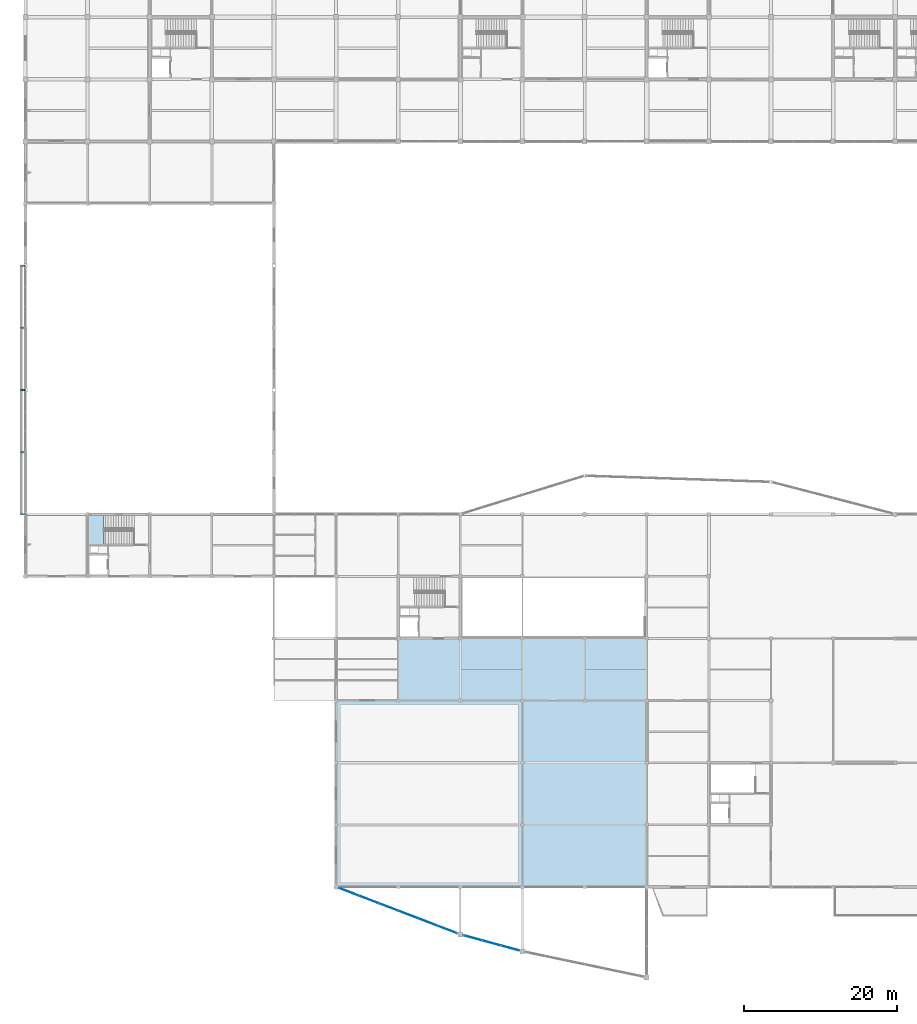
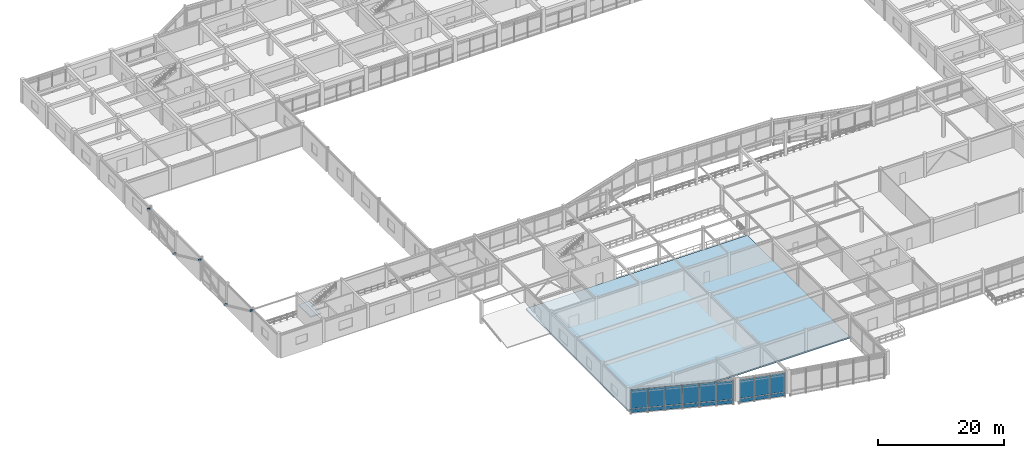
# One storey, part 49 of 93: 18 plates, 5 beams, 2 slabs, 4 elements without a shape of their own.
"""IFC4 building model written with IfcOpenShell, lengths in metres."""

import ifcopenshell
import ifcopenshell.guid

model = None  # the IFC model being written
_history = None  # IfcOwnerHistory: only IFC2X3 demands one
_inside = {}  # id of a spatial element -> (the spatial element, [elements in it])
_under = {}  # id of a project, library or spatial element -> (it, [spatial elements below it])
_declared = {}  # id of a project -> (the project, [libraries it declares])
_typed = {}  # id of a type object -> (the type object, [elements of that type])
_made_of = {}  # id of a material, layer set ... -> (it, [elements and type objects made of it])


def new_model(schema):
    """Start an empty IFC model of exactly this schema.

    Asked for "IFC4X3", IfcOpenShell would pick the latest addendum, in which some entities
    have other attributes; the version numbers below select the first issue.
    IFC2X3 requires an IfcOwnerHistory on every rooted entity: one is made here for all.
    """
    global model, _history
    if schema == "IFC4X3":
        model = ifcopenshell.file(schema_version=(4, 3, 0, 0))
    else:
        model = ifcopenshell.file(schema=schema)
    _inside.clear()
    _under.clear()
    _declared.clear()
    _typed.clear()
    _made_of.clear()
    _history = None
    if model.schema == "IFC2X3":
        org = make("IfcOrganization", Name="unknown")
        user = make(
            "IfcPersonAndOrganization",
            ThePerson=make("IfcPerson", FamilyName="unknown"),
            TheOrganization=org,
        )
        app = make(
            "IfcApplication",
            ApplicationDeveloper=org,
            Version="unknown",
            ApplicationFullName="unknown",
            ApplicationIdentifier="unknown",
        )
        _history = make(
            "IfcOwnerHistory",
            OwningUser=user,
            OwningApplication=app,
            ChangeAction="ADDED",
            CreationDate=0,
        )
    return model


def make(cls, **values):
    """One entity of the class cls with the attributes given. An attribute that is None is left unset."""
    return model.create_entity(
        cls, **{name: value for name, value in values.items() if value is not None}
    )


def rooted(cls, **values):
    """An entity with a GlobalId (a new one), such as an element, a storey or a relation."""
    return make(cls, GlobalId=ifcopenshell.guid.new(), OwnerHistory=_history, **values)


def si_unit(unit_type, name, prefix=None):
    """IfcSIUnit, for example si_unit("LENGTHUNIT", "METRE", prefix="MILLI")."""
    return make("IfcSIUnit", UnitType=unit_type, Prefix=prefix, Name=name)


def assignment(units):
    """IfcUnitAssignment: the units of a project."""
    return None if units is None else make("IfcUnitAssignment", Units=units)


def point(xyz):
    """IfcCartesianPoint."""
    return None if xyz is None else make("IfcCartesianPoint", Coordinates=xyz)


def direction(xyz):
    """IfcDirection."""
    return None if xyz is None else make("IfcDirection", DirectionRatios=xyz)


def frame(location, z_axis=None, x_axis=None):
    """IfcAxis2Placement3D, a coordinate frame: its origin and axes. An axis left out is left unset."""
    return make(
        "IfcAxis2Placement3D",
        Location=point(location),
        Axis=direction(z_axis),
        RefDirection=direction(x_axis),
    )


def frame_2d(location, x_axis=None):
    """IfcAxis2Placement2D, a coordinate frame in the plane: its origin and x axis."""
    return make(
        "IfcAxis2Placement2D", Location=point(location), RefDirection=direction(x_axis)
    )


def origin():
    """The frame at (0, 0, 0) with its axes left unset."""
    return frame((0.0, 0.0, 0.0))


def origin_2d():
    """The frame at (0, 0) in the plane with its x axis left unset."""
    return frame_2d((0.0, 0.0))


def place(relative_to, where):
    """IfcLocalPlacement: puts the frame where relative to a parent placement (None: the world)."""
    return make(
        "IfcLocalPlacement", PlacementRelTo=relative_to, RelativePlacement=where
    )


def context(
    kind, dimensions, precision=None, world=None, true_north=None, identifier=None
):
    """IfcGeometricRepresentationContext, for example the 3D "Model" context."""
    return make(
        "IfcGeometricRepresentationContext",
        ContextIdentifier=identifier,
        ContextType=kind,
        CoordinateSpaceDimension=dimensions,
        Precision=precision,
        WorldCoordinateSystem=world,
        TrueNorth=true_north,
    )


def subcontext(parent, identifier, kind, view, scale=None):
    """IfcGeometricRepresentationSubContext, for example "Body" below "Model"."""
    return make(
        "IfcGeometricRepresentationSubContext",
        ContextIdentifier=identifier,
        ContextType=kind,
        ParentContext=parent,
        TargetScale=scale,
        TargetView=view,
    )


def project(units=None, contexts=None):
    """IfcProject with its units and contexts."""
    return rooted(
        "IfcProject",
        Name="project",
        RepresentationContexts=contexts,
        UnitsInContext=assignment(units),
    )


def spatial(cls, under=None, at=None, **own):
    """A site, building, storey or space (cls), placed at a placement, below another one or the project."""
    s = rooted(cls, ObjectPlacement=at, **own)
    if under is not None:
        _under.setdefault(under.id(), (under, []))[1].append(s)
    return s


def polyline(points):
    """IfcPolyline through the points."""
    return make("IfcPolyline", Points=[point(p) for p in points])


def profile(cls, at=None, kind="AREA", **sizes):
    """A parametric profile (cls). Its sizes go by their IFC names, for example OverallWidth=200.0."""
    return make(cls, ProfileType=kind, Position=at, **sizes)


def rectangle(**sizes):
    """IfcRectangleProfileDef."""
    return profile("IfcRectangleProfileDef", **sizes)


def hollow_rectangle(**sizes):
    """IfcRectangleHollowProfileDef."""
    return profile("IfcRectangleHollowProfileDef", **sizes)


def outline(outer, holes=None, kind="AREA"):
    """IfcArbitraryClosedProfileDef: a profile drawn as a closed curve; with holes, ...WithVoids."""
    if holes is None:
        return make("IfcArbitraryClosedProfileDef", ProfileType=kind, OuterCurve=outer)
    return make(
        "IfcArbitraryProfileDefWithVoids",
        ProfileType=kind,
        OuterCurve=outer,
        InnerCurves=holes,
    )


def extrude(swept, where, along, depth):
    """IfcExtrudedAreaSolid: the profile swept, set in the frame where, extruded along a direction by depth."""
    return make(
        "IfcExtrudedAreaSolid",
        SweptArea=swept,
        Position=where,
        ExtrudedDirection=direction(along),
        Depth=depth,
    )


def shape(context_of_items, identifier, shape_type, items):
    """IfcShapeRepresentation: the items that make up one representation, for example the "Body"."""
    return make(
        "IfcShapeRepresentation",
        ContextOfItems=context_of_items,
        RepresentationIdentifier=identifier,
        RepresentationType=shape_type,
        Items=items,
    )


def material(Name=None, Category=None):
    """IfcMaterial."""
    return make("IfcMaterial", Name=Name, Category=Category)


def layer(
    of_material, thickness, ventilated=None, Name=None, Category=None, Priority=None
):
    """IfcMaterialLayer: one layer of a wall or slab, of a material (None: an air gap)."""
    return make(
        "IfcMaterialLayer",
        Material=of_material,
        LayerThickness=thickness,
        IsVentilated=ventilated,
        Name=Name,
        Category=Category,
        Priority=Priority,
    )


def layer_set(layers, Name=None):
    """IfcMaterialLayerSet."""
    return make("IfcMaterialLayerSet", MaterialLayers=layers, LayerSetName=Name)


def material_profile(
    of_material, cross_section, Name=None, Category=None, Priority=None
):
    """IfcMaterialProfile: a cross section and its material."""
    return make(
        "IfcMaterialProfile",
        Name=Name,
        Material=of_material,
        Profile=cross_section,
        Priority=Priority,
        Category=Category,
    )


def profile_set(profiles, Name=None, composite=None):
    """IfcMaterialProfileSet."""
    return make(
        "IfcMaterialProfileSet",
        Name=Name,
        MaterialProfiles=profiles,
        CompositeProfile=composite,
    )


def made_of(thing, what):
    """Note that an element or type object is made of a material, layer set ...; save() writes the relation."""
    if what is not None:
        _made_of.setdefault(what.id(), (what, []))[1].append(thing)
    return thing


def type_object(cls, material=None, **own):
    """A type object (cls), such as IfcWallType, which elements share."""
    return made_of(rooted(cls, **own), material)


def element(
    cls,
    number,
    at=None,
    inside=None,
    cuts=None,
    type_object=None,
    material=None,
    context=None,
    identifier="Body",
    shape_type=None,
    held_by="IfcProductDefinitionShape",
    body=None,
    shapes=None,
    **own,
):
    """One element of the class cls, such as IfcWall. Its Tag is "e" and its number.

    at: its placement. inside: the storey or other place that contains it. cuts: it is an
    opening in that element (IfcRelVoidsElement). A single representation is given by context,
    identifier, shape_type and body (its items); several are given by shapes. held_by: the class
    of the entity that holds the representations. save() writes the other relations.
    """
    e = rooted(cls, Tag="e%d" % number, ObjectPlacement=at, **own)
    if body is not None:
        shapes = [shape(context, identifier, shape_type, body)]
    if shapes is not None:
        e.Representation = make(held_by, Representations=shapes)
    if inside is not None:
        _inside.setdefault(inside.id(), (inside, []))[1].append(e)
    if cuts is not None:
        rooted(
            "IfcRelVoidsElement", RelatingBuildingElement=cuts, RelatedOpeningElement=e
        )
    if type_object is not None:
        _typed.setdefault(type_object.id(), (type_object, []))[1].append(e)
    return made_of(e, material)


def aggregate(whole, parts):
    """IfcRelAggregates: a whole, such as a stair, and the parts it consists of."""
    return rooted("IfcRelAggregates", RelatingObject=whole, RelatedObjects=parts)


def save(model, path):
    """Write the relations noted so far, then the file.

    IfcRelAggregates (storeys below a building ...), IfcRelContainedInSpatialStructure (elements
    in a storey), IfcRelDefinesByType, IfcRelAssociatesMaterial and IfcRelDeclares: one each for
    every whole, place, type object, material and project.
    """
    for whole, parts in _under.values():
        aggregate(whole, parts)
    for where, things in _inside.values():
        rooted(
            "IfcRelContainedInSpatialStructure",
            RelatedElements=things,
            RelatingStructure=where,
        )
    for kind, things in _typed.values():
        rooted("IfcRelDefinesByType", RelatedObjects=things, RelatingType=kind)
    for what, things in _made_of.values():
        rooted("IfcRelAssociatesMaterial", RelatedObjects=things, RelatingMaterial=what)
    for by, libraries in _declared.values():
        rooted("IfcRelDeclares", RelatingContext=by, RelatedDefinitions=libraries)
    model.write(path)


model = new_model("IFC4")

# Units and contexts
model_context = context("Model", 3, precision=1e-05, world=origin(), true_north=direction((0.0, 1.0)))
body_context = subcontext(model_context, "Body", "Model", "MODEL_VIEW")
ifc_project = project(units=[si_unit("LENGTHUNIT", "METRE"), si_unit("AREAUNIT", "SQUARE_METRE"), si_unit("VOLUMEUNIT", "CUBIC_METRE"), si_unit("PLANEANGLEUNIT", "RADIAN"), si_unit("MASSUNIT", "GRAM", prefix="KILO")], contexts=[model_context])

# Site, building, storey
site_placement = place(None, origin())
site = spatial("IfcSite", under=ifc_project, at=site_placement, CompositionType="ELEMENT")
building_placement = place(site_placement, origin())
building = spatial("IfcBuilding", under=site, at=building_placement, Name="Vaudrelin Polytechnic", CompositionType="ELEMENT")
storey_placement = place(building_placement, frame((0.0, 0.0, 5.10009765625)))
storey = spatial("IfcBuildingStorey", under=building, at=storey_placement, Name="L01", CompositionType="ELEMENT", Elevation=5.10009765625)

# Beams
ifc_material_1 = material(Name="Steel CSA G40.21 350WT", Category="steel")
ifc_material_profile = material_profile(ifc_material_1, hollow_rectangle(XDim=0.202880859375, YDim=0.304931640625, WallThickness=0.010986328125, InnerFilletRadius=0.010986328125, OuterFilletRadius=0.022216796875, at=origin_2d()), Name="HSS305x203x11.1")
ifc_profile_set = profile_set([ifc_material_profile], Name="Steel CSA G40.21 350WT")
beam_type = type_object("IfcBeamType", Name="BM-SP-HSS30", PredefinedType="SPANDREL", material=ifc_profile_set)
for number, where, z_axis, x_axis, name in (
    (1, (0.0, 56.699951171875, 0.349853515625), (-1.0, 0.0, 0.0), (0.0, -1.0, 0.0), "Diagrid exoskeleton outrigger node L01 1-8-B"),
    (2, (0.0, 48.60009765625, 4.08984375), (-1.0, 0.0, 0.0), (0.0, -1.0, 0.0), "Diagrid exoskeleton outrigger node L01 1-7-T"),
    (3, (0.0, 64.800048828125, 4.08984375), (-1.0, 0.0, 0.0), (0.0, -1.0, 0.0), "Diagrid exoskeleton outrigger node L01 1-9-T"),
    (4, (0.0, 72.89990234375, 0.349853515625), (-1.0, 0.0, 0.0), (0.0, -1.0, 0.0), "Diagrid exoskeleton outrigger node L01 1-10-B"),
    (5, (0.0, 81.0, 4.08984375), (-1.0, 0.0, 0.0), (0.0, -1.0, 0.0), "Diagrid exoskeleton outrigger node L01 1-11-T"),
):
    element("IfcBeam", number, at=place(storey_placement, frame(where, z_axis=z_axis, x_axis=x_axis)), inside=storey, type_object=beam_type, Name=name, PredefinedType="SPANDREL", context=body_context, shape_type="SweptSolid", body=[
        extrude(hollow_rectangle(XDim=0.202880859375, YDim=0.304931640625, WallThickness=0.010986328125, InnerFilletRadius=0.010986328125, OuterFilletRadius=0.022216796875, at=origin_2d()), origin(), (0.0, 0.0, 1.0), 0.632568359375),
    ])

# Curtain wall, plates
ifc_material_2 = material(Name="Thermally broken anodised aluminium AA 6063-T6 and low-e triple glazing", Category="aluminium")
ifc_layer_1 = layer(ifc_material_2, 0.199951171875)
ifc_layer_set_1 = layer_set([ifc_layer_1], Name="Thermally broken anodised aluminium AA 6063-T6 and low-e triple glazing")
curtain_wall_type = type_object("IfcCurtainWallType", Name="CW-CW-WG", PredefinedType="USERDEFINED", material=ifc_layer_set_1)
curtain_wall_1_placement = place(storey_placement, origin())
curtain_wall_1 = element("IfcCurtainWall", 6, at=curtain_wall_1_placement, inside=storey, type_object=curtain_wall_type, Name="Curtain wall L01 V2P_1_0", ObjectType="CURTAIN WALL", PredefinedType="USERDEFINED")
ifc_material_3 = material(Name="Insulated ceramic-frit spandrel glass panel", Category="glass")
ifc_layer_2 = layer(ifc_material_3, 0.052001953125)
ifc_layer_set_2 = layer_set([ifc_layer_2], Name="Insulated ceramic-frit spandrel glass panel")
plate_type_1 = type_object("IfcPlateType", Name="PLT-GLZ-SPAND", PredefinedType="CURTAIN_PANEL", material=ifc_layer_set_2)
plate_1_placement = place(storey_placement, frame((42.1640625, -0.636962890625, -0.5400390625), z_axis=(0.0, 0.0, 1.0), x_axis=(0.933939211691, -0.357431880036, 0.0)))
plate_1 = element("IfcPlate", 7, at=plate_1_placement, type_object=plate_type_1, Name="V2P_1_0 spandrel panel 1", PredefinedType="CURTAIN_PANEL", context=body_context, shape_type="SweptSolid", body=[
    extrude(rectangle(XDim=2.651123046875, YDim=0.052001953125, at=origin_2d()), origin(), (0.0, 0.0, 1.0), 0.699951171875),
])
plate_2_placement = place(storey_placement, frame((44.7333984375, -1.6201171875, -0.5400390625), z_axis=(0.0, 0.0, 1.0), x_axis=(0.933939211691, -0.357431880036, 0.0)))
plate_2 = element("IfcPlate", 8, at=plate_2_placement, type_object=plate_type_1, Name="V2P_1_0 spandrel panel 2", PredefinedType="CURTAIN_PANEL", context=body_context, shape_type="SweptSolid", body=[
    extrude(rectangle(XDim=2.651123046875, YDim=0.052001953125, at=origin_2d()), origin(), (0.0, 0.0, 1.0), 0.699951171875),
])
plate_3_placement = place(storey_placement, frame((47.302734375, -2.603515625, -0.5400390625), z_axis=(0.0, 0.0, 1.0), x_axis=(0.933939211691, -0.357431880036, 0.0)))
plate_3 = element("IfcPlate", 9, at=plate_3_placement, type_object=plate_type_1, Name="V2P_1_0 spandrel panel 3", PredefinedType="CURTAIN_PANEL", context=body_context, shape_type="SweptSolid", body=[
    extrude(rectangle(XDim=2.651123046875, YDim=0.052001953125, at=origin_2d()), origin(), (0.0, 0.0, 1.0), 0.699951171875),
])

curtain_wall_2_placement = place(storey_placement, origin())
curtain_wall_2 = element("IfcCurtainWall", 10, at=curtain_wall_2_placement, inside=storey, type_object=curtain_wall_type, Name="Curtain wall L01 V2P_1_1", ObjectType="CURTAIN WALL", PredefinedType="USERDEFINED")
plate_4_placement = place(storey_placement, frame((49.872314453125, -3.5869140625, -0.5400390625), z_axis=(0.0, 0.0, 1.0), x_axis=(0.933939211691, -0.357431880036, 0.0)))
plate_4 = element("IfcPlate", 11, at=plate_4_placement, type_object=plate_type_1, Name="V2P_1_1 spandrel panel 1", PredefinedType="CURTAIN_PANEL", context=body_context, shape_type="SweptSolid", body=[
    extrude(rectangle(XDim=2.651123046875, YDim=0.052001953125, at=origin_2d()), origin(), (0.0, 0.0, 1.0), 0.699951171875),
])
plate_5_placement = place(storey_placement, frame((52.44140625, -4.5703125, -0.5400390625), z_axis=(0.0, 0.0, 1.0), x_axis=(0.933939211691, -0.357431880036, 0.0)))
plate_5 = element("IfcPlate", 12, at=plate_5_placement, type_object=plate_type_1, Name="V2P_1_1 spandrel panel 2", PredefinedType="CURTAIN_PANEL", context=body_context, shape_type="SweptSolid", body=[
    extrude(rectangle(XDim=2.651123046875, YDim=0.052001953125, at=origin_2d()), origin(), (0.0, 0.0, 1.0), 0.699951171875),
])
plate_6_placement = place(storey_placement, frame((55.010986328125, -5.553466796875, -0.5400390625), z_axis=(0.0, 0.0, 1.0), x_axis=(0.933939211691, -0.357431880036, 0.0)))
plate_6 = element("IfcPlate", 13, at=plate_6_placement, type_object=plate_type_1, Name="V2P_1_1 spandrel panel 3", PredefinedType="CURTAIN_PANEL", context=body_context, shape_type="SweptSolid", body=[
    extrude(rectangle(XDim=2.651123046875, YDim=0.052001953125, at=origin_2d()), origin(), (0.0, 0.0, 1.0), 0.699951171875),
])

curtain_wall_3_placement = place(storey_placement, origin())
curtain_wall_3 = element("IfcCurtainWall", 14, at=curtain_wall_3_placement, inside=storey, type_object=curtain_wall_type, Name="Curtain wall L01 V2P_2_0", ObjectType="CURTAIN WALL", PredefinedType="USERDEFINED")
plate_7_placement = place(storey_placement, frame((58.3212890625, -6.640380859375, -0.5400390625), z_axis=(0.0, 0.0, 1.0), x_axis=(0.965042039381, -0.26209513965, 0.0)))
plate_7 = element("IfcPlate", 15, at=plate_7_placement, type_object=plate_type_1, Name="V2P_2_0 spandrel panel 1", PredefinedType="CURTAIN_PANEL", context=body_context, shape_type="SweptSolid", body=[
    extrude(rectangle(XDim=2.41650390625, YDim=0.052001953125, at=origin_2d()), origin(), (0.0, 0.0, 1.0), 0.699951171875),
])
plate_8_placement = place(storey_placement, frame((60.75, -7.300048828125, -0.5400390625), z_axis=(0.0, 0.0, 1.0), x_axis=(0.965042039381, -0.26209513965, 0.0)))
plate_8 = element("IfcPlate", 16, at=plate_8_placement, type_object=plate_type_1, Name="V2P_2_0 spandrel panel 2", PredefinedType="CURTAIN_PANEL", context=body_context, shape_type="SweptSolid", body=[
    extrude(rectangle(XDim=2.41650390625, YDim=0.052001953125, at=origin_2d()), origin(), (0.0, 0.0, 1.0), 0.699951171875),
])
plate_9_placement = place(storey_placement, frame((63.1787109375, -7.959716796875, -0.5400390625), z_axis=(0.0, 0.0, 1.0), x_axis=(0.965042039381, -0.26209513965, 0.0)))
plate_9 = element("IfcPlate", 17, at=plate_9_placement, type_object=plate_type_1, Name="V2P_2_0 spandrel panel 3", PredefinedType="CURTAIN_PANEL", context=body_context, shape_type="SweptSolid", body=[
    extrude(rectangle(XDim=2.41650390625, YDim=0.052001953125, at=origin_2d()), origin(), (0.0, 0.0, 1.0), 0.699951171875),
])

# Plate
ifc_material_4 = material(Name="Triple low-e argon insulated glazing unit", Category="glass")
ifc_layer_3 = layer(ifc_material_4, 0.0439453125)
ifc_layer_set_3 = layer_set([ifc_layer_3], Name="Triple low-e argon insulated glazing unit")
plate_type_2 = type_object("IfcPlateType", Name="PLT-GLZ-TRIPLE", PredefinedType="CURTAIN_PANEL", material=ifc_layer_set_3)
plate_10_placement = place(storey_placement, frame((42.1640625, -0.636962890625, 0.27001953125), z_axis=(0.0, 0.0, 1.0), x_axis=(0.933939211691, -0.357431880036, 0.0)))
plate_10 = element("IfcPlate", 18, at=plate_10_placement, type_object=plate_type_2, Name="V2P_1_0 vision panel 1", PredefinedType="CURTAIN_PANEL", context=body_context, shape_type="SweptSolid", body=[
    extrude(rectangle(XDim=2.651123046875, YDim=0.0439453125, at=origin_2d()), origin(), (0.0, 0.0, 1.0), 3.610107421875),
])

plate_11_placement = place(storey_placement, frame((44.7333984375, -1.6201171875, 0.27001953125), z_axis=(0.0, 0.0, 1.0), x_axis=(0.933939211691, -0.357431880036, 0.0)))
plate_11 = element("IfcPlate", 19, at=plate_11_placement, type_object=plate_type_2, Name="V2P_1_0 vision panel 2", PredefinedType="CURTAIN_PANEL", context=body_context, shape_type="SweptSolid", body=[
    extrude(rectangle(XDim=2.651123046875, YDim=0.0439453125, at=origin_2d()), origin(), (0.0, 0.0, 1.0), 3.610107421875),
])

plate_12_placement = place(storey_placement, frame((47.302734375, -2.603515625, 0.27001953125), z_axis=(0.0, 0.0, 1.0), x_axis=(0.933939211691, -0.357431880036, 0.0)))
plate_12 = element("IfcPlate", 20, at=plate_12_placement, type_object=plate_type_2, Name="V2P_1_0 vision panel 3", PredefinedType="CURTAIN_PANEL", context=body_context, shape_type="SweptSolid", body=[
    extrude(rectangle(XDim=2.651123046875, YDim=0.0439453125, at=origin_2d()), origin(), (0.0, 0.0, 1.0), 3.610107421875),
])

aggregate(curtain_wall_1, [plate_1, plate_10, plate_2, plate_11, plate_3, plate_12])

plate_13_placement = place(storey_placement, frame((49.872314453125, -3.5869140625, 0.27001953125), z_axis=(0.0, 0.0, 1.0), x_axis=(0.933939211691, -0.357431880036, 0.0)))
plate_13 = element("IfcPlate", 21, at=plate_13_placement, type_object=plate_type_2, Name="V2P_1_1 vision panel 1", PredefinedType="CURTAIN_PANEL", context=body_context, shape_type="SweptSolid", body=[
    extrude(rectangle(XDim=2.651123046875, YDim=0.0439453125, at=origin_2d()), origin(), (0.0, 0.0, 1.0), 3.610107421875),
])

plate_14_placement = place(storey_placement, frame((52.44140625, -4.5703125, 0.27001953125), z_axis=(0.0, 0.0, 1.0), x_axis=(0.933939211691, -0.357431880036, 0.0)))
plate_14 = element("IfcPlate", 22, at=plate_14_placement, type_object=plate_type_2, Name="V2P_1_1 vision panel 2", PredefinedType="CURTAIN_PANEL", context=body_context, shape_type="SweptSolid", body=[
    extrude(rectangle(XDim=2.651123046875, YDim=0.0439453125, at=origin_2d()), origin(), (0.0, 0.0, 1.0), 3.610107421875),
])

plate_15_placement = place(storey_placement, frame((55.010986328125, -5.553466796875, 0.27001953125), z_axis=(0.0, 0.0, 1.0), x_axis=(0.933939211691, -0.357431880036, 0.0)))
plate_15 = element("IfcPlate", 23, at=plate_15_placement, type_object=plate_type_2, Name="V2P_1_1 vision panel 3", PredefinedType="CURTAIN_PANEL", context=body_context, shape_type="SweptSolid", body=[
    extrude(rectangle(XDim=2.651123046875, YDim=0.0439453125, at=origin_2d()), origin(), (0.0, 0.0, 1.0), 3.610107421875),
])

aggregate(curtain_wall_2, [plate_4, plate_13, plate_5, plate_14, plate_6, plate_15])

plate_16_placement = place(storey_placement, frame((58.3212890625, -6.640380859375, 0.27001953125), z_axis=(0.0, 0.0, 1.0), x_axis=(0.965042039381, -0.26209513965, 0.0)))
plate_16 = element("IfcPlate", 24, at=plate_16_placement, type_object=plate_type_2, Name="V2P_2_0 vision panel 1", PredefinedType="CURTAIN_PANEL", context=body_context, shape_type="SweptSolid", body=[
    extrude(rectangle(XDim=2.41650390625, YDim=0.0439453125, at=origin_2d()), origin(), (0.0, 0.0, 1.0), 3.610107421875),
])

plate_17_placement = place(storey_placement, frame((60.75, -7.300048828125, 0.27001953125), z_axis=(0.0, 0.0, 1.0), x_axis=(0.965042039381, -0.26209513965, 0.0)))
plate_17 = element("IfcPlate", 25, at=plate_17_placement, type_object=plate_type_2, Name="V2P_2_0 vision panel 2", PredefinedType="CURTAIN_PANEL", context=body_context, shape_type="SweptSolid", body=[
    extrude(rectangle(XDim=2.41650390625, YDim=0.0439453125, at=origin_2d()), origin(), (0.0, 0.0, 1.0), 3.610107421875),
])

plate_18_placement = place(storey_placement, frame((63.1787109375, -7.959716796875, 0.27001953125), z_axis=(0.0, 0.0, 1.0), x_axis=(0.965042039381, -0.26209513965, 0.0)))
plate_18 = element("IfcPlate", 26, at=plate_18_placement, type_object=plate_type_2, Name="V2P_2_0 vision panel 3", PredefinedType="CURTAIN_PANEL", context=body_context, shape_type="SweptSolid", body=[
    extrude(rectangle(XDim=2.41650390625, YDim=0.0439453125, at=origin_2d()), origin(), (0.0, 0.0, 1.0), 3.610107421875),
])

aggregate(curtain_wall_3, [plate_7, plate_16, plate_8, plate_17, plate_9, plate_18])

# Stair, slab
ifc_material_5 = material(Name="Concrete 35 MPa", Category="concrete")
stair_type = type_object("IfcStairType", Name="STR-ST-CORE", PredefinedType="TWO_STRAIGHT_RUN_STAIR", material=ifc_material_5)
stair_placement = place(storey_placement, origin())
stair = element("IfcStair", 27, at=stair_placement, inside=storey, type_object=stair_type, Name="Exit stair ST-03-L01", PredefinedType="TWO_STRAIGHT_RUN_STAIR")
ifc_layer_4 = layer(ifc_material_5, 0.219970703125)
ifc_layer_set_4 = layer_set([ifc_layer_4], Name="Concrete 35 MPa")
slab_type_1 = type_object("IfcSlabType", Name="SLB-LND220", PredefinedType="LANDING", material=ifc_layer_set_4)
slab_1_placement = place(storey_placement, frame((0.0, 0.0, 2.074951171875)))
slab_1 = element("IfcSlab", 28, at=slab_1_placement, type_object=slab_type_1, Name="ST-03-L01 landing 1", PredefinedType="LANDING", context=body_context, shape_type="SweptSolid", body=[
    extrude(outline(polyline([(8.239990234375, 44.659912109375), (10.2099609375, 44.659912109375), (10.2099609375, 48.5), (8.239990234375, 48.5), (8.239990234375, 44.659912109375)])), origin(), (0.0, 0.0, 1.0), 0.219970703125),
])
aggregate(stair, [slab_1])

# Slab
ifc_layer_5 = layer(ifc_material_5, 0.280029296875)
ifc_layer_set_5 = layer_set([ifc_layer_5], Name="Concrete 35 MPa")
slab_type_2 = type_object("IfcSlabType", Name="SLB-SL-F280", PredefinedType="FLOOR", material=ifc_layer_set_5)
slab_2_placement = place(storey_placement, frame((0.0, 0.0, -0.280029296875)))
element("IfcSlab", 29, at=slab_2_placement, inside=storey, type_object=slab_type_2, Name="L01 floor slab V2-UP", PredefinedType="FLOOR", context=body_context, shape_type="SweptSolid", body=[
    extrude(outline(polyline([(40.5, 0.0), (81.0, 0.0), (81.0, 32.39990234375), (40.5, 32.39990234375), (40.5, 0.0)])), origin(), (0.0, 0.0, 1.0), 0.280029296875),
])

save(model, "model.ifc")
